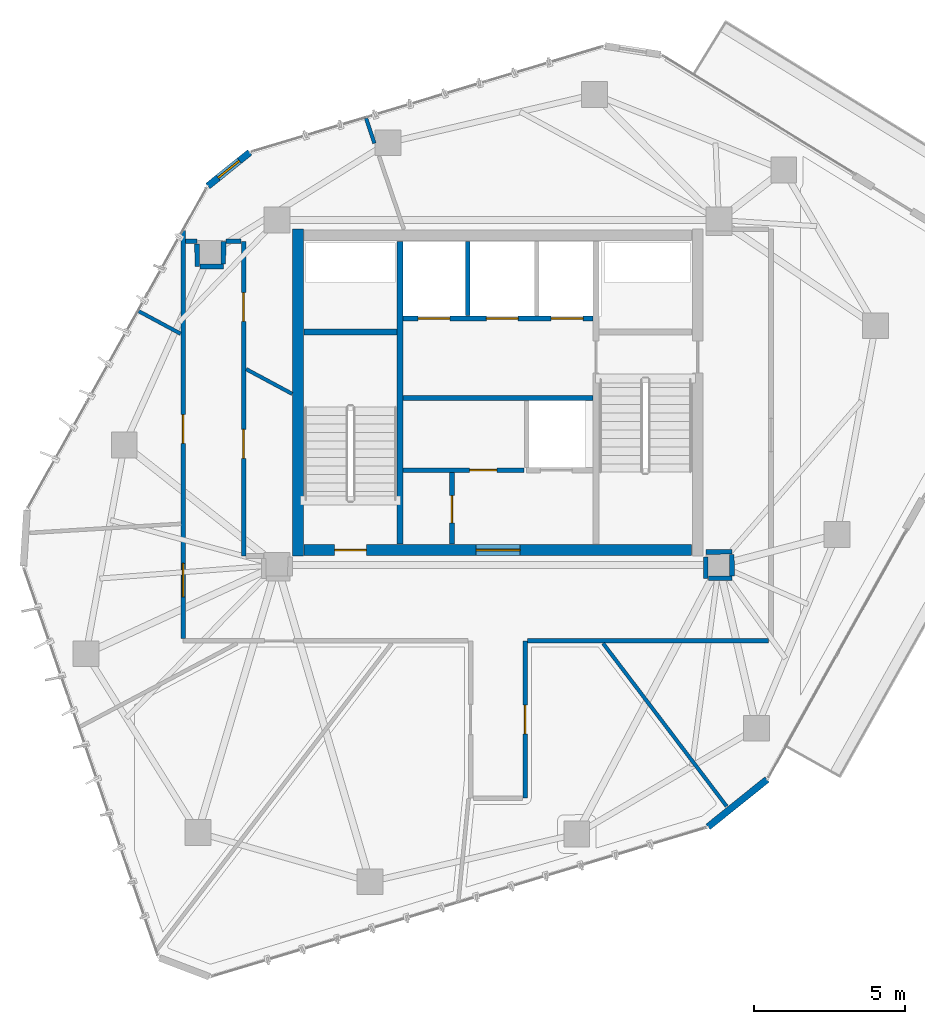
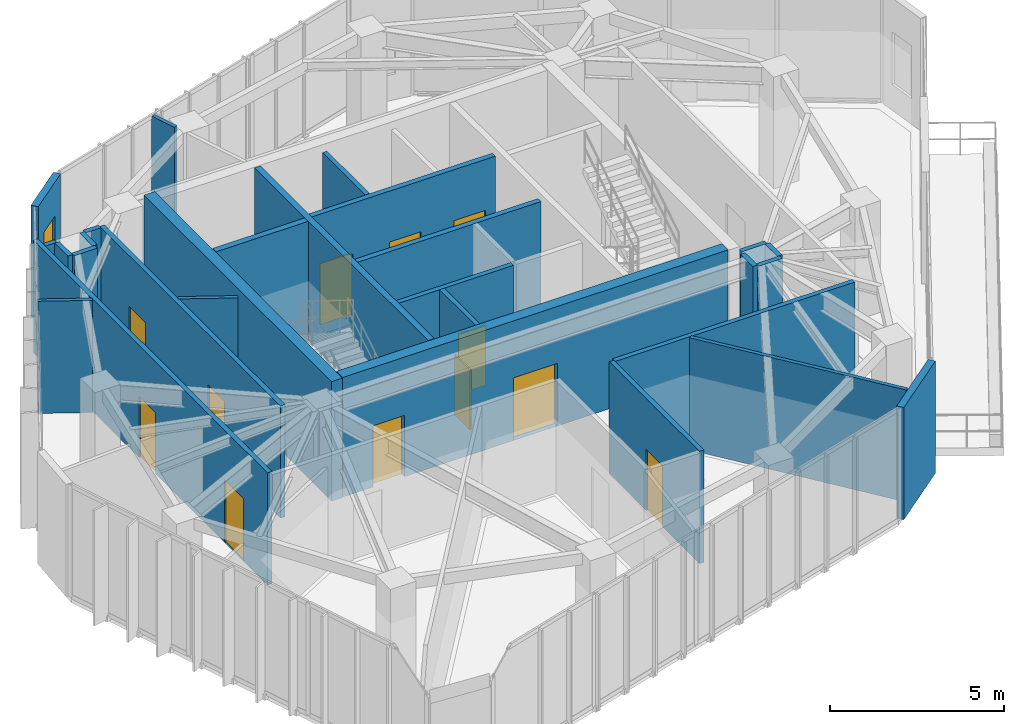
# One storey, part 16 of 20: 28 walls, 12 doors, 1 window, 13 openings.
"""IFC4 building model written with IfcOpenShell, lengths in metres."""

import ifcopenshell
import ifcopenshell.guid

model = None  # the IFC model being written
_history = None  # IfcOwnerHistory: only IFC2X3 demands one
_inside = {}  # id of a spatial element -> (the spatial element, [elements in it])
_under = {}  # id of a project, library or spatial element -> (it, [spatial elements below it])
_declared = {}  # id of a project -> (the project, [libraries it declares])
_typed = {}  # id of a type object -> (the type object, [elements of that type])
_made_of = {}  # id of a material, layer set ... -> (it, [elements and type objects made of it])


def new_model(schema):
    """Start an empty IFC model of exactly this schema.

    Asked for "IFC4X3", IfcOpenShell would pick the latest addendum, in which some entities
    have other attributes; the version numbers below select the first issue.
    IFC2X3 requires an IfcOwnerHistory on every rooted entity: one is made here for all.
    """
    global model, _history
    if schema == "IFC4X3":
        model = ifcopenshell.file(schema_version=(4, 3, 0, 0))
    else:
        model = ifcopenshell.file(schema=schema)
    _inside.clear()
    _under.clear()
    _declared.clear()
    _typed.clear()
    _made_of.clear()
    _history = None
    if model.schema == "IFC2X3":
        org = make("IfcOrganization", Name="unknown")
        user = make(
            "IfcPersonAndOrganization",
            ThePerson=make("IfcPerson", FamilyName="unknown"),
            TheOrganization=org,
        )
        app = make(
            "IfcApplication",
            ApplicationDeveloper=org,
            Version="unknown",
            ApplicationFullName="unknown",
            ApplicationIdentifier="unknown",
        )
        _history = make(
            "IfcOwnerHistory",
            OwningUser=user,
            OwningApplication=app,
            ChangeAction="ADDED",
            CreationDate=0,
        )
    return model


def make(cls, **values):
    """One entity of the class cls with the attributes given. An attribute that is None is left unset."""
    return model.create_entity(
        cls, **{name: value for name, value in values.items() if value is not None}
    )


def rooted(cls, **values):
    """An entity with a GlobalId (a new one), such as an element, a storey or a relation."""
    return make(cls, GlobalId=ifcopenshell.guid.new(), OwnerHistory=_history, **values)


def si_unit(unit_type, name, prefix=None):
    """IfcSIUnit, for example si_unit("LENGTHUNIT", "METRE", prefix="MILLI")."""
    return make("IfcSIUnit", UnitType=unit_type, Prefix=prefix, Name=name)


def assignment(units):
    """IfcUnitAssignment: the units of a project."""
    return None if units is None else make("IfcUnitAssignment", Units=units)


def point(xyz):
    """IfcCartesianPoint."""
    return None if xyz is None else make("IfcCartesianPoint", Coordinates=xyz)


def direction(xyz):
    """IfcDirection."""
    return None if xyz is None else make("IfcDirection", DirectionRatios=xyz)


def frame(location, z_axis=None, x_axis=None):
    """IfcAxis2Placement3D, a coordinate frame: its origin and axes. An axis left out is left unset."""
    return make(
        "IfcAxis2Placement3D",
        Location=point(location),
        Axis=direction(z_axis),
        RefDirection=direction(x_axis),
    )


def frame_2d(location, x_axis=None):
    """IfcAxis2Placement2D, a coordinate frame in the plane: its origin and x axis."""
    return make(
        "IfcAxis2Placement2D", Location=point(location), RefDirection=direction(x_axis)
    )


def origin():
    """The frame at (0, 0, 0) with its axes left unset."""
    return frame((0.0, 0.0, 0.0))


def place(relative_to, where):
    """IfcLocalPlacement: puts the frame where relative to a parent placement (None: the world)."""
    return make(
        "IfcLocalPlacement", PlacementRelTo=relative_to, RelativePlacement=where
    )


def context(
    kind, dimensions, precision=None, world=None, true_north=None, identifier=None
):
    """IfcGeometricRepresentationContext, for example the 3D "Model" context."""
    return make(
        "IfcGeometricRepresentationContext",
        ContextIdentifier=identifier,
        ContextType=kind,
        CoordinateSpaceDimension=dimensions,
        Precision=precision,
        WorldCoordinateSystem=world,
        TrueNorth=true_north,
    )


def subcontext(parent, identifier, kind, view, scale=None):
    """IfcGeometricRepresentationSubContext, for example "Body" below "Model"."""
    return make(
        "IfcGeometricRepresentationSubContext",
        ContextIdentifier=identifier,
        ContextType=kind,
        ParentContext=parent,
        TargetScale=scale,
        TargetView=view,
    )


def project(units=None, contexts=None):
    """IfcProject with its units and contexts."""
    return rooted(
        "IfcProject",
        Name="project",
        RepresentationContexts=contexts,
        UnitsInContext=assignment(units),
    )


def spatial(cls, under=None, at=None, **own):
    """A site, building, storey or space (cls), placed at a placement, below another one or the project."""
    s = rooted(cls, ObjectPlacement=at, **own)
    if under is not None:
        _under.setdefault(under.id(), (under, []))[1].append(s)
    return s


def profile(cls, at=None, kind="AREA", **sizes):
    """A parametric profile (cls). Its sizes go by their IFC names, for example OverallWidth=200.0."""
    return make(cls, ProfileType=kind, Position=at, **sizes)


def rectangle(**sizes):
    """IfcRectangleProfileDef."""
    return profile("IfcRectangleProfileDef", **sizes)


def extrude(swept, where, along, depth):
    """IfcExtrudedAreaSolid: the profile swept, set in the frame where, extruded along a direction by depth."""
    return make(
        "IfcExtrudedAreaSolid",
        SweptArea=swept,
        Position=where,
        ExtrudedDirection=direction(along),
        Depth=depth,
    )


def shape(context_of_items, identifier, shape_type, items):
    """IfcShapeRepresentation: the items that make up one representation, for example the "Body"."""
    return make(
        "IfcShapeRepresentation",
        ContextOfItems=context_of_items,
        RepresentationIdentifier=identifier,
        RepresentationType=shape_type,
        Items=items,
    )


def source(mapping_origin, context_of_items, identifier, shape_type, items):
    """IfcRepresentationMap: a shape defined once, which mapped items show again and again."""
    return make(
        "IfcRepresentationMap",
        MappingOrigin=mapping_origin,
        MappedRepresentation=shape(context_of_items, identifier, shape_type, items),
    )


def transform(
    local_origin,
    x_axis=None,
    y_axis=None,
    z_axis=None,
    scale=None,
    scale2=None,
    scale3=None,
    uniform=True,
):
    """IfcCartesianTransformationOperator3D, or its non-uniform kind. x_axis, y_axis, z_axis: its Axis1, 2, 3."""
    if uniform:
        return make(
            "IfcCartesianTransformationOperator3D",
            Axis1=direction(x_axis),
            Axis2=direction(y_axis),
            LocalOrigin=point(local_origin),
            Scale=scale,
            Axis3=direction(z_axis),
        )
    return make(
        "IfcCartesianTransformationOperator3DnonUniform",
        Axis1=direction(x_axis),
        Axis2=direction(y_axis),
        LocalOrigin=point(local_origin),
        Scale=scale,
        Axis3=direction(z_axis),
        Scale2=scale2,
        Scale3=scale3,
    )


def mapped(mapping_source, mapping_target):
    """IfcMappedItem: shows the shape of a source again, moved by a transform."""
    return make(
        "IfcMappedItem", MappingSource=mapping_source, MappingTarget=mapping_target
    )


def material(Name=None, Category=None):
    """IfcMaterial."""
    return make("IfcMaterial", Name=Name, Category=Category)


def layer(
    of_material, thickness, ventilated=None, Name=None, Category=None, Priority=None
):
    """IfcMaterialLayer: one layer of a wall or slab, of a material (None: an air gap)."""
    return make(
        "IfcMaterialLayer",
        Material=of_material,
        LayerThickness=thickness,
        IsVentilated=ventilated,
        Name=Name,
        Category=Category,
        Priority=Priority,
    )


def layer_set(layers, Name=None):
    """IfcMaterialLayerSet."""
    return make("IfcMaterialLayerSet", MaterialLayers=layers, LayerSetName=Name)


def made_of(thing, what):
    """Note that an element or type object is made of a material, layer set ...; save() writes the relation."""
    if what is not None:
        _made_of.setdefault(what.id(), (what, []))[1].append(thing)
    return thing


def type_object(cls, material=None, **own):
    """A type object (cls), such as IfcWallType, which elements share."""
    return made_of(rooted(cls, **own), material)


def type_shapes(of_type, sources):
    """Give a type object the sources (RepresentationMaps) that its elements show as mapped items."""
    of_type.RepresentationMaps = sources


def element(
    cls,
    number,
    at=None,
    inside=None,
    cuts=None,
    type_object=None,
    material=None,
    context=None,
    identifier="Body",
    shape_type=None,
    held_by="IfcProductDefinitionShape",
    body=None,
    shapes=None,
    **own,
):
    """One element of the class cls, such as IfcWall. Its Tag is "e" and its number.

    at: its placement. inside: the storey or other place that contains it. cuts: it is an
    opening in that element (IfcRelVoidsElement). A single representation is given by context,
    identifier, shape_type and body (its items); several are given by shapes. held_by: the class
    of the entity that holds the representations. save() writes the other relations.
    """
    e = rooted(cls, Tag="e%d" % number, ObjectPlacement=at, **own)
    if body is not None:
        shapes = [shape(context, identifier, shape_type, body)]
    if shapes is not None:
        e.Representation = make(held_by, Representations=shapes)
    if inside is not None:
        _inside.setdefault(inside.id(), (inside, []))[1].append(e)
    if cuts is not None:
        rooted(
            "IfcRelVoidsElement", RelatingBuildingElement=cuts, RelatedOpeningElement=e
        )
    if type_object is not None:
        _typed.setdefault(type_object.id(), (type_object, []))[1].append(e)
    return made_of(e, material)


def fill(opening, filler):
    """IfcRelFillsElement: the door or window that sits in an opening."""
    return rooted(
        "IfcRelFillsElement",
        RelatingOpeningElement=opening,
        RelatedBuildingElement=filler,
    )


def aggregate(whole, parts):
    """IfcRelAggregates: a whole, such as a stair, and the parts it consists of."""
    return rooted("IfcRelAggregates", RelatingObject=whole, RelatedObjects=parts)


def save(model, path):
    """Write the relations noted so far, then the file.

    IfcRelAggregates (storeys below a building ...), IfcRelContainedInSpatialStructure (elements
    in a storey), IfcRelDefinesByType, IfcRelAssociatesMaterial and IfcRelDeclares: one each for
    every whole, place, type object, material and project.
    """
    for whole, parts in _under.values():
        aggregate(whole, parts)
    for where, things in _inside.values():
        rooted(
            "IfcRelContainedInSpatialStructure",
            RelatedElements=things,
            RelatingStructure=where,
        )
    for kind, things in _typed.values():
        rooted("IfcRelDefinesByType", RelatedObjects=things, RelatingType=kind)
    for what, things in _made_of.values():
        rooted("IfcRelAssociatesMaterial", RelatedObjects=things, RelatingMaterial=what)
    for by, libraries in _declared.values():
        rooted("IfcRelDeclares", RelatingContext=by, RelatedDefinitions=libraries)
    model.write(path)


model = new_model("IFC4")

# Units and contexts
model_context = context("Model", 3, precision=1e-05, world=origin(), true_north=direction((0.0, 1.0)))
body_context = subcontext(model_context, "Body", "Model", "MODEL_VIEW")
ifc_project = project(units=[si_unit("LENGTHUNIT", "METRE"), si_unit("AREAUNIT", "SQUARE_METRE"), si_unit("VOLUMEUNIT", "CUBIC_METRE"), si_unit("PLANEANGLEUNIT", "RADIAN"), si_unit("MASSUNIT", "GRAM", prefix="KILO")], contexts=[model_context])

# Site, building, storey
site_placement = place(None, origin())
site = spatial("IfcSite", under=ifc_project, at=site_placement, CompositionType="ELEMENT")
building_placement = place(site_placement, origin())
building = spatial("IfcBuilding", under=site, at=building_placement, Name="Talar Marvaseh", CompositionType="ELEMENT")
storey_placement = place(building_placement, frame((0.0, 0.0, 291.800048828125)))
storey = spatial("IfcBuildingStorey", under=building, at=storey_placement, Name="L78", CompositionType="ELEMENT", Elevation=291.800048828125)

# Wall, opening, window
ifc_material_1 = material(Name="Precast concrete C45/55", Category="concrete")
ifc_layer_1 = layer(ifc_material_1, 0.22509765625)
ifc_layer_set_1 = layer_set([ifc_layer_1], Name="Precast concrete C45/55")
wall_type_1 = type_object("IfcWallType", Name="Chamfered Hexagonal Corner Pier Wall Z4 225", PredefinedType="SOLIDWALL", material=ifc_layer_set_1)
wall_1_placement = place(storey_placement, frame((16.413330078125, 38.0224609375, 0.0), z_axis=(0.0, 0.0, 1.0), x_axis=(0.779891352576, 0.625914912889, 0.0)))
wall_1 = element("IfcWall", 1, at=wall_1_placement, inside=storey, type_object=wall_type_1, Name="L78 Chamfered Corner Limestone Pier 3", PredefinedType="SOLIDWALL", context=body_context, shape_type="SweptSolid", body=[
    extrude(rectangle(XDim=1.780517578125, YDim=0.22509765625, at=frame_2d((0.89013671875, 0.0))), origin(), (0.0, 0.0, 1.0), 3.93994140625),
])
opening_1_placement = place(wall_1_placement, frame((0.43994140625, 0.0, 0.89990234375)))
opening_1 = element("IfcOpeningElement", 2, at=opening_1_placement, cuts=wall_1, Name="Opening WN-CHM09", PredefinedType="OPENING", context=body_context, shape_type="SweptSolid", body=[
    extrude(rectangle(XDim=0.89990234375, YDim=1.85009765625, at=frame_2d((0.449951171875, 0.925048828125))), frame((0.0, 0.12255859375, 0.0), z_axis=(0.0, -1.0, 0.0), x_axis=(1.0, 0.0, 0.0)), (0.0, 0.0, 1.0), 0.2451171875),
])
ifc_material_2 = material(Name="Laminated Low-E Solar Glass", Category="glass")
window_type = type_object("IfcWindowType", Name="Zone 4 Chamfered Corner Slot Window 900x1850", PartitioningType="SINGLE_PANEL", PredefinedType="WINDOW", material=ifc_material_2)
shared_shape_1 = source(origin(), body_context, "Body", "SweptSolid", [
    extrude(rectangle(XDim=0.89990234375, YDim=1.85009765625, at=frame_2d((0.449951171875, 0.925048828125))), frame((0.0, 0.030029296875, 0.0), z_axis=(0.0, -1.0, 0.0), x_axis=(1.0, 0.0, 0.0)), (0.0, 0.0, 1.0), 0.06005859375),
])
type_shapes(window_type, [shared_shape_1])
window_placement = place(opening_1_placement, origin())
window = element("IfcWindow", 3, at=window_placement, inside=storey, type_object=window_type, Name="L78 Chamfered Corner Slot Window", OverallHeight=1.85009765625, OverallWidth=0.89990234375, PartitioningType="SINGLE_PANEL", PredefinedType="WINDOW", context=body_context, shape_type="MappedRepresentation", body=[
    mapped(shared_shape_1, transform((0.0, 0.0, 0.0), x_axis=(1.0, 0.0, 0.0), y_axis=(0.0, 1.0, 0.0), z_axis=(0.0, 0.0, 1.0), scale=1.0)),
])
fill(opening_1, window)

# Wall
wall_2_placement = place(storey_placement, frame((34.891845703125, 18.419921875, 0.0), z_axis=(0.0, 0.0, 1.0), x_axis=(-0.77987797323, -0.625931583218, 0.0)))
element("IfcWall", 4, at=wall_2_placement, inside=storey, type_object=wall_type_1, Name="L78 Chamfered Corner Limestone Pier 6", PredefinedType="SOLIDWALL", context=body_context, shape_type="SweptSolid", body=[
    extrude(rectangle(XDim=2.50244140625, YDim=0.22509765625, at=frame_2d((1.251220703125, 0.0))), origin(), (0.0, 0.0, 1.0), 3.93994140625),
])

# Wall, opening, door
ifc_material_3 = material(Name="Gypsum Board Partition Assembly")
ifc_layer_2 = layer(ifc_material_3, 0.155029296875)
ifc_layer_set_2 = layer_set([ifc_layer_2], Name="Gypsum Board Partition Assembly")
wall_type_2 = type_object("IfcWallType", Name="Corridor Fire-Rated Acoustic Partition 155", PredefinedType="PARTITIONING", material=ifc_layer_set_2)
wall_3_placement = place(storey_placement, frame((22.865966796875, 28.639892578125, 0.0), z_axis=(0.0, 0.0, 1.0), x_axis=(1.0, 0.0, 0.0)))
wall_3 = element("IfcWall", 5, at=wall_3_placement, inside=storey, type_object=wall_type_2, Name="L78 Core BOH Partition", PredefinedType="PARTITIONING", context=body_context, shape_type="SweptSolid", body=[
    extrude(rectangle(XDim=3.994140625, YDim=0.155029296875, at=frame_2d((1.9970703125, 0.0))), origin(), (0.0, 0.0, 1.0), 3.93994140625),
])
opening_2_placement = place(wall_3_placement, frame((2.199951171875, 0.0, 0.0)))
opening_2 = element("IfcOpeningElement", 6, at=opening_2_placement, cuts=wall_3, Name="Opening DR-BOH090", PredefinedType="OPENING", context=body_context, shape_type="SweptSolid", body=[
    extrude(rectangle(XDim=0.89990234375, YDim=2.10009765625, at=frame_2d((0.449951171875, 1.050048828125))), frame((0.0, 0.08740234375, 0.0), z_axis=(0.0, -1.0, 0.0), x_axis=(1.0, 0.0, 0.0)), (0.0, 0.0, 1.0), 0.175048828125),
])
ifc_material_4 = material(Name="Fire-Rated Steel Door Leaf", Category="steel")
door_type_1 = type_object("IfcDoorType", Name="Core Back-of-House Service Door 900x2100", OperationType="NOTDEFINED", PredefinedType="DOOR", material=ifc_material_4)
shared_shape_2 = source(origin(), body_context, "Body", "SweptSolid", [
    extrude(rectangle(XDim=0.89990234375, YDim=2.10009765625, at=frame_2d((0.449951171875, 1.050048828125))), frame((0.0, 0.02490234375, 0.0), z_axis=(0.0, -1.0, 0.0), x_axis=(1.0, 0.0, 0.0)), (0.0, 0.0, 1.0), 0.050048828125),
])
type_shapes(door_type_1, [shared_shape_2])
door_1_placement = place(opening_2_placement, origin())
door_1 = element("IfcDoor", 7, at=door_1_placement, inside=storey, type_object=door_type_1, Name="L78 Store Sky Core Archive Room Door", OperationType="SINGLE_SWING_LEFT", OverallHeight=2.10009765625, OverallWidth=0.89990234375, PredefinedType="DOOR", context=body_context, shape_type="MappedRepresentation", body=[
    mapped(shared_shape_2, transform((0.0, 0.0, 0.0), x_axis=(1.0, 0.0, 0.0), y_axis=(0.0, 1.0, 0.0), z_axis=(0.0, 0.0, 1.0), scale=1.0)),
])
fill(opening_2, door_1)

wall_4_placement = place(storey_placement, frame((24.47998046875, 26.199951171875, 0.0), z_axis=(0.0, 0.0, 1.0), x_axis=(0.0, 1.0, 0.0)))
wall_4 = element("IfcWall", 8, at=wall_4_placement, inside=storey, type_object=wall_type_2, Name="L78 Core BOH Partition", PredefinedType="PARTITIONING", context=body_context, shape_type="SweptSolid", body=[
    extrude(rectangle(XDim=2.360107421875, YDim=0.155029296875, at=frame_2d((1.18017578125, 0.0))), origin(), (0.0, 0.0, 1.0), 3.93994140625),
])
opening_3_placement = place(wall_4_placement, frame((0.699951171875, 0.0, 0.0)))
opening_3 = element("IfcOpeningElement", 9, at=opening_3_placement, cuts=wall_4, Name="Opening DR-BOH090", PredefinedType="OPENING", context=body_context, shape_type="SweptSolid", body=[
    extrude(rectangle(XDim=0.89990234375, YDim=2.10009765625, at=frame_2d((0.449951171875, 1.050048828125))), frame((0.0, 0.08740234375, 0.0), z_axis=(0.0, -1.0, 0.0), x_axis=(1.0, 0.0, 0.0)), (0.0, 0.0, 1.0), 0.175048828125),
])
door_2_placement = place(opening_3_placement, origin())
door_2 = element("IfcDoor", 10, at=door_2_placement, inside=storey, type_object=door_type_1, Name="L78 Cleaner and Linen Store Door", OperationType="SINGLE_SWING_LEFT", OverallHeight=2.10009765625, OverallWidth=0.89990234375, PredefinedType="DOOR", context=body_context, shape_type="MappedRepresentation", body=[
    mapped(shared_shape_2, transform((0.0, 0.0, 0.0), x_axis=(1.0, 0.0, 0.0), y_axis=(0.0, 1.0, 0.0), z_axis=(0.0, 0.0, 1.0), scale=1.0)),
])
fill(opening_3, door_2)

# Wall, openings, doors
wall_5_placement = place(storey_placement, frame((17.60009765625, 36.199951171875, 0.0), z_axis=(0.0, 0.0, 1.0), x_axis=(0.0, -1.0, 0.0)))
wall_5 = element("IfcWall", 11, at=wall_5_placement, inside=storey, type_object=wall_type_2, Name="L78 Interior Partition Wall", PredefinedType="PARTITIONING", context=body_context, shape_type="SweptSolid", body=[
    extrude(rectangle(XDim=10.39990234375, YDim=0.155029296875, at=frame_2d((5.199951171875, 0.0))), origin(), (0.0, 0.0, 1.0), 3.93994140625),
])
opening_4_placement = place(wall_5_placement, frame((1.69287109375, 0.0, 0.0)))
opening_4 = element("IfcOpeningElement", 12, at=opening_4_placement, cuts=wall_5, Name="Opening DR-WC095", PredefinedType="OPENING", context=body_context, shape_type="SweptSolid", body=[
    extrude(rectangle(XDim=0.949951171875, YDim=2.14990234375, at=frame_2d((0.47509765625, 1.074951171875))), frame((0.0, 0.08740234375, 0.0), z_axis=(0.0, -1.0, 0.0), x_axis=(1.0, 0.0, 0.0)), (0.0, 0.0, 1.0), 0.175048828125),
])
opening_5_placement = place(wall_5_placement, frame((6.218017578125, 0.0, 0.0)))
opening_5 = element("IfcOpeningElement", 13, at=opening_5_placement, cuts=wall_5, Name="Opening DR-WC095", PredefinedType="OPENING", context=body_context, shape_type="SweptSolid", body=[
    extrude(rectangle(XDim=0.949951171875, YDim=2.14990234375, at=frame_2d((0.47509765625, 1.074951171875))), frame((0.0, 0.08740234375, 0.0), z_axis=(0.0, -1.0, 0.0), x_axis=(1.0, 0.0, 0.0)), (0.0, 0.0, 1.0), 0.175048828125),
])
ifc_material_5 = material(Name="Acoustic Engineered Oak Timber", Category="wood")
door_type_2 = type_object("IfcDoorType", Name="Washroom and Service Room Door 950x2150", OperationType="NOTDEFINED", PredefinedType="DOOR", material=ifc_material_5)
shared_shape_3 = source(origin(), body_context, "Body", "SweptSolid", [
    extrude(rectangle(XDim=0.949951171875, YDim=2.14990234375, at=frame_2d((0.47509765625, 1.074951171875))), frame((0.0, 0.02490234375, 0.0), z_axis=(0.0, -1.0, 0.0), x_axis=(1.0, 0.0, 0.0)), (0.0, 0.0, 1.0), 0.050048828125),
])
type_shapes(door_type_2, [shared_shape_3])
door_3_placement = place(opening_4_placement, origin())
door_3 = element("IfcDoor", 14, at=door_3_placement, inside=storey, type_object=door_type_2, Name="L78 Fellows' Coffee Pantry Door", OperationType="SINGLE_SWING_RIGHT", OverallHeight=2.14990234375, OverallWidth=0.949951171875, PredefinedType="DOOR", context=body_context, shape_type="MappedRepresentation", body=[
    mapped(shared_shape_3, transform((0.0, 0.0, 0.0), x_axis=(1.0, 0.0, 0.0), y_axis=(0.0, 1.0, 0.0), z_axis=(0.0, 0.0, 1.0), scale=1.0)),
])
fill(opening_4, door_3)
door_4_placement = place(opening_5_placement, origin())
door_4 = element("IfcDoor", 15, at=door_4_placement, inside=storey, type_object=door_type_2, Name="L78 WC Public Washrooms Door", OperationType="SINGLE_SWING_LEFT", OverallHeight=2.14990234375, OverallWidth=0.949951171875, PredefinedType="DOOR", context=body_context, shape_type="MappedRepresentation", body=[
    mapped(shared_shape_3, transform((0.0, 0.0, 0.0), x_axis=(1.0, 0.0, 0.0), y_axis=(0.0, 1.0, 0.0), z_axis=(0.0, 0.0, 1.0), scale=1.0)),
])
fill(opening_5, door_4)

# Wall, opening, door
wall_6_placement = place(storey_placement, frame((26.89990234375, 23.0, 0.0), z_axis=(0.0, 0.0, 1.0), x_axis=(0.0, -1.0, 0.0)))
wall_6 = element("IfcWall", 16, at=wall_6_placement, inside=storey, type_object=wall_type_2, Name="L78 Interior Partition Wall", PredefinedType="PARTITIONING", context=body_context, shape_type="SweptSolid", body=[
    extrude(rectangle(XDim=5.199951171875, YDim=0.155029296875, at=frame_2d((2.60009765625, 0.0))), origin(), (0.0, 0.0, 1.0), 3.93994140625),
])
opening_6_placement = place(wall_6_placement, frame((2.125, 0.0, 0.0)))
opening_6 = element("IfcOpeningElement", 17, at=opening_6_placement, cuts=wall_6, Name="Opening DR-WC095", PredefinedType="OPENING", context=body_context, shape_type="SweptSolid", body=[
    extrude(rectangle(XDim=0.949951171875, YDim=2.14990234375, at=frame_2d((0.47509765625, 1.074951171875))), frame((0.0, 0.08740234375, 0.0), z_axis=(0.0, -1.0, 0.0), x_axis=(1.0, 0.0, 0.0)), (0.0, 0.0, 1.0), 0.175048828125),
])
door_5_placement = place(opening_6_placement, origin())
door_5 = element("IfcDoor", 18, at=door_5_placement, inside=storey, type_object=door_type_2, Name="L78 Scholars' Servery Pantry Door", OperationType="SINGLE_SWING_RIGHT", OverallHeight=2.14990234375, OverallWidth=0.949951171875, PredefinedType="DOOR", context=body_context, shape_type="MappedRepresentation", body=[
    mapped(shared_shape_3, transform((0.0, 0.0, 0.0), x_axis=(1.0, 0.0, 0.0), y_axis=(0.0, 1.0, 0.0), z_axis=(0.0, 0.0, 1.0), scale=1.0)),
])
fill(opening_6, door_5)

# Wall, openings, doors
wall_7_placement = place(storey_placement, frame((15.60009765625, 23.08349609375, 0.0), z_axis=(0.0, 0.0, 1.0), x_axis=(0.0, 1.0, 0.0)))
wall_7 = element("IfcWall", 19, at=wall_7_placement, inside=storey, type_object=wall_type_2, Name="L78 Interior Partition Wall", PredefinedType="PARTITIONING", context=body_context, shape_type="SweptSolid", body=[
    extrude(rectangle(XDim=13.466552734375, YDim=0.155029296875, at=frame_2d((6.7333984375, 0.0))), origin(), (0.0, 0.0, 1.0), 3.93994140625),
])
opening_7_placement = place(wall_7_placement, frame((1.371337890625, 0.0, 0.0)))
opening_7 = element("IfcOpeningElement", 20, at=opening_7_placement, cuts=wall_7, Name="Opening DR-RM110", PredefinedType="OPENING", context=body_context, shape_type="SweptSolid", body=[
    extrude(rectangle(XDim=1.10009765625, YDim=2.199951171875, at=frame_2d((0.550048828125, 1.10009765625))), frame((0.0, 0.08740234375, 0.0), z_axis=(0.0, -1.0, 0.0), x_axis=(1.0, 0.0, 0.0)), (0.0, 0.0, 1.0), 0.175048828125),
])
opening_8_placement = place(wall_7_placement, frame((6.435791015625, 0.0, 0.0)))
opening_8 = element("IfcOpeningElement", 21, at=opening_8_placement, cuts=wall_7, Name="Opening DR-WC095", PredefinedType="OPENING", context=body_context, shape_type="SweptSolid", body=[
    extrude(rectangle(XDim=0.949951171875, YDim=2.14990234375, at=frame_2d((0.47509765625, 1.074951171875))), frame((0.0, 0.08740234375, 0.0), z_axis=(0.0, -1.0, 0.0), x_axis=(1.0, 0.0, 0.0)), (0.0, 0.0, 1.0), 0.175048828125),
])
door_6_placement = place(opening_8_placement, origin())
door_6 = element("IfcDoor", 22, at=door_6_placement, inside=storey, type_object=door_type_2, Name="L78 Accessible WC Door", OperationType="SINGLE_SWING_RIGHT", OverallHeight=2.14990234375, OverallWidth=0.949951171875, PredefinedType="DOOR", context=body_context, shape_type="MappedRepresentation", body=[
    mapped(shared_shape_3, transform((0.0, 0.0, 0.0), x_axis=(1.0, 0.0, 0.0), y_axis=(0.0, 1.0, 0.0), z_axis=(0.0, 0.0, 1.0), scale=1.0)),
])
fill(opening_8, door_6)
door_type_3 = type_object("IfcDoorType", Name="Assembly and Reading Hall Door 1100x2200", OperationType="NOTDEFINED", PredefinedType="DOOR", material=ifc_material_5)
shared_shape_4 = source(origin(), body_context, "Body", "SweptSolid", [
    extrude(rectangle(XDim=1.10009765625, YDim=2.199951171875, at=frame_2d((0.550048828125, 1.10009765625))), frame((0.0, 0.02490234375, 0.0), z_axis=(0.0, -1.0, 0.0), x_axis=(1.0, 0.0, 0.0)), (0.0, 0.0, 1.0), 0.050048828125),
])
type_shapes(door_type_3, [shared_shape_4])
door_7_placement = place(opening_7_placement, origin())
door_7 = element("IfcDoor", 23, at=door_7_placement, inside=storey, type_object=door_type_3, Name="L78 Sky Observation Gallery Door", OperationType="SINGLE_SWING_LEFT", OverallHeight=2.199951171875, OverallWidth=1.10009765625, PredefinedType="DOOR", context=body_context, shape_type="MappedRepresentation", body=[
    mapped(shared_shape_4, transform((0.0, 0.0, 0.0), x_axis=(1.0, 0.0, 0.0), y_axis=(0.0, 1.0, 0.0), z_axis=(0.0, 0.0, 1.0), scale=1.0)),
])
fill(opening_7, door_7)

# Walls
wall_8_placement = place(storey_placement, frame((15.68359375, 36.199951171875, 0.0), z_axis=(0.0, 0.0, 1.0), x_axis=(1.0, 0.0, 0.0)))
element("IfcWall", 24, at=wall_8_placement, inside=storey, type_object=wall_type_2, Name="L78 Interior Partition Wall", PredefinedType="PARTITIONING", context=body_context, shape_type="SweptSolid", body=[
    extrude(rectangle(XDim=0.370361328125, YDim=0.155029296875, at=frame_2d((0.18505859375, 0.0))), origin(), (0.0, 0.0, 1.0), 3.93994140625),
])
wall_9_placement = place(storey_placement, frame((16.055419921875, 36.116455078125, 0.0), z_axis=(0.0, 0.0, 1.0), x_axis=(0.01823800838, -0.999833673693, 0.0)))
element("IfcWall", 25, at=wall_9_placement, inside=storey, type_object=wall_type_2, Name="L78 Interior Partition Wall", PredefinedType="PARTITIONING", context=body_context, shape_type="SweptSolid", body=[
    extrude(rectangle(XDim=0.749755859375, YDim=0.155029296875, at=frame_2d((0.375, 0.0))), origin(), (0.0, 0.0, 1.0), 3.93994140625),
])
wall_10_placement = place(storey_placement, frame((16.152587890625, 35.3671875, 0.0), z_axis=(0.0, 0.0, 1.0), x_axis=(0.999997558852, 0.002209590566, 0.0)))
element("IfcWall", 26, at=wall_10_placement, inside=storey, type_object=wall_type_2, Name="L78 Interior Partition Wall", PredefinedType="PARTITIONING", context=body_context, shape_type="SweptSolid", body=[
    extrude(rectangle(XDim=0.7734375, YDim=0.155029296875, at=frame_2d((0.38671875, 0.0))), origin(), (0.0, 0.0, 1.0), 3.93994140625),
])
wall_11_placement = place(storey_placement, frame((16.927001953125, 35.452392578125, 0.0), z_axis=(0.0, 0.0, 1.0), x_axis=(0.009470509294, 0.999955153721, 0.0)))
element("IfcWall", 27, at=wall_11_placement, inside=storey, type_object=wall_type_2, Name="L78 Interior Partition Wall", PredefinedType="PARTITIONING", context=body_context, shape_type="SweptSolid", body=[
    extrude(rectangle(XDim=0.74755859375, YDim=0.155029296875, at=frame_2d((0.373779296875, 0.0))), origin(), (0.0, 0.0, 1.0), 3.93994140625),
])
wall_12_placement = place(storey_placement, frame((17.017578125, 36.199951171875, 0.0), z_axis=(0.0, 0.0, 1.0), x_axis=(1.0, 0.0, 0.0)))
element("IfcWall", 28, at=wall_12_placement, inside=storey, type_object=wall_type_2, Name="L78 Interior Partition Wall", PredefinedType="PARTITIONING", context=body_context, shape_type="SweptSolid", body=[
    extrude(rectangle(XDim=0.4990234375, YDim=0.155029296875, at=frame_2d((0.24951171875, 0.0))), origin(), (0.0, 0.0, 1.0), 3.93994140625),
])
wall_13_placement = place(storey_placement, frame((34.9365234375, 23.0, 0.0), z_axis=(0.0, 0.0, 1.0), x_axis=(-1.0, 0.0, 0.0)))
element("IfcWall", 29, at=wall_13_placement, inside=storey, type_object=wall_type_2, Name="L78 Interior Partition Wall", PredefinedType="PARTITIONING", context=body_context, shape_type="SweptSolid", body=[
    extrude(rectangle(XDim=7.953125, YDim=0.155029296875, at=frame_2d((3.9765625, 0.0))), origin(), (0.0, 0.0, 1.0), 3.93994140625),
])
wall_14_placement = place(storey_placement, frame((33.72509765625, 25.93994140625, 0.0), z_axis=(0.0, 0.0, 1.0), x_axis=(-0.999986790873, -0.005139852152, 0.0)))
element("IfcWall", 30, at=wall_14_placement, inside=storey, type_object=wall_type_2, Name="L78 Interior Partition Wall", PredefinedType="PARTITIONING", context=body_context, shape_type="SweptSolid", body=[
    extrude(rectangle(XDim=0.85498046875, YDim=0.155029296875, at=frame_2d((0.427490234375, 0.0))), origin(), (0.0, 0.0, 1.0), 3.93994140625),
])
wall_15_placement = place(storey_placement, frame((32.864501953125, 25.772705078125, 0.0), z_axis=(0.0, 0.0, 1.0), x_axis=(0.0, -1.0, 0.0)))
element("IfcWall", 31, at=wall_15_placement, inside=storey, type_object=wall_type_2, Name="L78 Interior Partition Wall", PredefinedType="PARTITIONING", context=body_context, shape_type="SweptSolid", body=[
    extrude(rectangle(XDim=0.708251953125, YDim=0.155029296875, at=frame_2d((0.35400390625, 0.0))), origin(), (0.0, 0.0, 1.0), 3.93994140625),
])
wall_16_placement = place(storey_placement, frame((32.947998046875, 25.064453125, 0.0), z_axis=(0.0, 0.0, 1.0), x_axis=(1.0, 0.0, 0.0)))
element("IfcWall", 32, at=wall_16_placement, inside=storey, type_object=wall_type_2, Name="L78 Interior Partition Wall", PredefinedType="PARTITIONING", context=body_context, shape_type="SweptSolid", body=[
    extrude(rectangle(XDim=0.78759765625, YDim=0.155029296875, at=frame_2d((0.393798828125, 0.0))), origin(), (0.0, 0.0, 1.0), 3.93994140625),
])
wall_17_placement = place(storey_placement, frame((33.734619140625, 25.14794921875, 0.0), z_axis=(0.0, 0.0, 1.0), x_axis=(-0.012059770759, 0.99992727832, 0.0)))
element("IfcWall", 33, at=wall_17_placement, inside=storey, type_object=wall_type_2, Name="L78 Interior Partition Wall", PredefinedType="PARTITIONING", context=body_context, shape_type="SweptSolid", body=[
    extrude(rectangle(XDim=0.70849609375, YDim=0.155029296875, at=frame_2d((0.354248046875, 0.0))), origin(), (0.0, 0.0, 1.0), 3.93994140625),
])
ifc_layer_3 = layer(ifc_material_3, 0.1201171875)
ifc_layer_set_3 = layer_set([ifc_layer_3], Name="Gypsum Board Partition Assembly")
wall_type_3 = type_object("IfcWallType", Name="Demountable Studio Room Partition 120", PredefinedType="PARTITIONING", material=ifc_layer_set_3)
wall_18_placement = place(storey_placement, frame((29.473388671875, 22.91650390625, 0.0), z_axis=(0.0, 0.0, 1.0), x_axis=(0.604213983141, -0.796822102214, 0.0)))
element("IfcWall", 34, at=wall_18_placement, inside=storey, type_object=wall_type_3, Name="L78 Interior Partition Wall", PredefinedType="PARTITIONING", context=body_context, shape_type="SweptSolid", body=[
    extrude(rectangle(XDim=6.75341796875, YDim=0.1201171875, at=frame_2d((3.376708984375, 0.0))), origin(), (0.0, 0.0, 1.0), 3.93994140625),
])
wall_19_placement = place(storey_placement, frame((21.919921875, 39.43994140625, 0.0), z_axis=(0.0, 0.0, 1.0), x_axis=(-0.316227766017, 0.948683298051, 0.0)))
element("IfcWall", 35, at=wall_19_placement, inside=storey, type_object=wall_type_3, Name="L78 Interior Partition Wall", PredefinedType="PARTITIONING", context=body_context, shape_type="SweptSolid", body=[
    extrude(rectangle(XDim=0.87158203125, YDim=0.1201171875, at=frame_2d((0.435791015625, 0.0))), origin(), (0.0, 0.0, 1.0), 3.93994140625),
])
wall_20_placement = place(storey_placement, frame((19.199951171875, 31.159912109375, 0.0), z_axis=(0.0, 0.0, 1.0), x_axis=(-0.880789650974, 0.473507751506, 0.0)))
element("IfcWall", 36, at=wall_20_placement, inside=storey, type_object=wall_type_3, Name="L78 Interior Partition Wall", PredefinedType="PARTITIONING", context=body_context, shape_type="SweptSolid", body=[
    extrude(rectangle(XDim=1.7216796875, YDim=0.1201171875, at=frame_2d((0.86083984375, 0.0))), origin(), (0.0, 0.0, 1.0), 3.93994140625),
])
wall_21_placement = place(storey_placement, frame((15.5166015625, 33.14501953125, 0.0), z_axis=(0.0, 0.0, 1.0), x_axis=(-0.880729827404, 0.473619014737, 0.0)))
element("IfcWall", 37, at=wall_21_placement, inside=storey, type_object=wall_type_3, Name="L78 Interior Partition Wall", PredefinedType="PARTITIONING", context=body_context, shape_type="SweptSolid", body=[
    extrude(rectangle(XDim=1.57470703125, YDim=0.1201171875, at=frame_2d((0.787353515625, 0.0))), origin(), (0.0, 0.0, 1.0), 3.93994140625),
])
ifc_layer_4 = layer(ifc_material_1, 0.14501953125)
ifc_layer_set_4 = layer_set([ifc_layer_4], Name="Precast concrete C45/55")
wall_type_4 = type_object("IfcWallType", Name="Fire-Rated Lift Divider Wall 145", PredefinedType="SOLIDWALL", material=ifc_layer_set_4)
wall_22_placement = place(storey_placement, frame((25.0, 33.743408203125, 0.0), z_axis=(0.0, 0.0, 1.0), x_axis=(0.0, 1.0, 0.0)))
element("IfcWall", 38, at=wall_22_placement, inside=storey, type_object=wall_type_4, Name="L78 FFL-1/FFL-2 Divider", PredefinedType="SOLIDWALL", context=body_context, shape_type="SweptSolid", body=[
    extrude(rectangle(XDim=2.45654296875, YDim=0.14501953125, at=frame_2d((1.228271484375, 0.0))), origin(), (0.0, 0.0, 1.0), 3.93994140625),
])

# Wall, openings, doors
ifc_layer_5 = layer(ifc_material_1, 0.175048828125)
ifc_layer_set_5 = layer_set([ifc_layer_5], Name="Precast concrete C45/55")
wall_type_5 = type_object("IfcWallType", Name="Fire-Rated Lift Hoistway Enclosure Wall 175", PredefinedType="SOLIDWALL", material=ifc_layer_set_5)
wall_23_placement = place(storey_placement, frame((22.860107421875, 33.64990234375, 0.0), z_axis=(0.0, 0.0, 1.0), x_axis=(1.0, 0.0, 0.0)))
wall_23 = element("IfcWall", 39, at=wall_23_placement, inside=storey, type_object=wall_type_5, Name="L78 Firefighting and Service Lift Front Wall", PredefinedType="SOLIDWALL", context=body_context, shape_type="SweptSolid", body=[
    extrude(rectangle(XDim=6.27978515625, YDim=0.175048828125, at=frame_2d((3.139892578125, 0.0))), origin(), (0.0, 0.0, 1.0), 3.93994140625),
])
opening_9_placement = place(wall_23_placement, frame((0.5, 0.0, 0.0)))
opening_9 = element("IfcOpeningElement", 40, at=opening_9_placement, cuts=wall_23, Name="Opening LD-FF1", PredefinedType="OPENING", context=body_context, shape_type="SweptSolid", body=[
    extrude(rectangle(XDim=1.050048828125, YDim=2.14990234375, at=frame_2d((0.52490234375, 1.074951171875))), frame((0.0, 0.09765625, 0.0), z_axis=(0.0, -1.0, 0.0), x_axis=(1.0, 0.0, 0.0)), (0.0, 0.0, 1.0), 0.195068359375),
])
opening_10_placement = place(wall_23_placement, frame((2.760009765625, 0.0, 0.0)))
opening_10 = element("IfcOpeningElement", 41, at=opening_10_placement, cuts=wall_23, Name="Opening LD-FF2", PredefinedType="OPENING", context=body_context, shape_type="SweptSolid", body=[
    extrude(rectangle(XDim=1.050048828125, YDim=2.14990234375, at=frame_2d((0.52490234375, 1.074951171875))), frame((0.0, 0.09765625, 0.0), z_axis=(0.0, -1.0, 0.0), x_axis=(1.0, 0.0, 0.0)), (0.0, 0.0, 1.0), 0.195068359375),
])
opening_11_placement = place(wall_23_placement, frame((4.89990234375, 0.0, 0.0)))
opening_11 = element("IfcOpeningElement", 42, at=opening_11_placement, cuts=wall_23, Name="Opening LD-SV1", PredefinedType="OPENING", context=body_context, shape_type="SweptSolid", body=[
    extrude(rectangle(XDim=1.050048828125, YDim=2.14990234375, at=frame_2d((0.52490234375, 1.074951171875))), frame((0.0, 0.09765625, 0.0), z_axis=(0.0, -1.0, 0.0), x_axis=(1.0, 0.0, 0.0)), (0.0, 0.0, 1.0), 0.195068359375),
])
ifc_material_6 = material(Name="Stainless Steel Grade 316", Category="steel")
door_type_4 = type_object("IfcDoorType", Name="Automatic Sliding Lift Landing Door 1050x2150", OperationType="NOTDEFINED", PredefinedType="DOOR", material=ifc_material_6)
shared_shape_5 = source(origin(), body_context, "Body", "SweptSolid", [
    extrude(rectangle(XDim=1.050048828125, YDim=2.14990234375, at=frame_2d((0.52490234375, 1.074951171875))), frame((0.0, 0.02490234375, 0.0), z_axis=(0.0, -1.0, 0.0), x_axis=(1.0, 0.0, 0.0)), (0.0, 0.0, 1.0), 0.050048828125),
])
type_shapes(door_type_4, [shared_shape_5])
door_8_placement = place(opening_9_placement, origin())
door_8 = element("IfcDoor", 43, at=door_8_placement, inside=storey, type_object=door_type_4, Name="L78 Lift FFL-1 Sliding Landing Door", OperationType="SLIDING_TO_LEFT", OverallHeight=2.14990234375, OverallWidth=1.050048828125, PredefinedType="DOOR", context=body_context, shape_type="MappedRepresentation", body=[
    mapped(shared_shape_5, transform((0.0, 0.0, 0.0), x_axis=(1.0, 0.0, 0.0), y_axis=(0.0, 1.0, 0.0), z_axis=(0.0, 0.0, 1.0), scale=1.0)),
])
fill(opening_9, door_8)
door_9_placement = place(opening_10_placement, origin())
door_9 = element("IfcDoor", 44, at=door_9_placement, inside=storey, type_object=door_type_4, Name="L78 Lift FFL-2 Sliding Landing Door", OperationType="SLIDING_TO_LEFT", OverallHeight=2.14990234375, OverallWidth=1.050048828125, PredefinedType="DOOR", context=body_context, shape_type="MappedRepresentation", body=[
    mapped(shared_shape_5, transform((0.0, 0.0, 0.0), x_axis=(1.0, 0.0, 0.0), y_axis=(0.0, 1.0, 0.0), z_axis=(0.0, 0.0, 1.0), scale=1.0)),
])
fill(opening_10, door_9)
door_10_placement = place(opening_11_placement, origin())
door_10 = element("IfcDoor", 45, at=door_10_placement, inside=storey, type_object=door_type_4, Name="L78 Lift SVL-1 Sliding Landing Door", OperationType="SLIDING_TO_LEFT", OverallHeight=2.14990234375, OverallWidth=1.050048828125, PredefinedType="DOOR", context=body_context, shape_type="MappedRepresentation", body=[
    mapped(shared_shape_5, transform((0.0, 0.0, 0.0), x_axis=(1.0, 0.0, 0.0), y_axis=(0.0, 1.0, 0.0), z_axis=(0.0, 0.0, 1.0), scale=1.0)),
])
fill(opening_11, door_10)

# Walls
wall_24_placement = place(storey_placement, frame((22.860107421875, 31.02001953125, 0.0), z_axis=(0.0, 0.0, 1.0), x_axis=(1.0, 0.0, 0.0)))
element("IfcWall", 46, at=wall_24_placement, inside=storey, type_object=wall_type_5, Name="L78 Firefighting Lobby South Smoke Wall", PredefinedType="SOLIDWALL", context=body_context, shape_type="SweptSolid", body=[
    extrude(rectangle(XDim=6.27978515625, YDim=0.175048828125, at=frame_2d((3.139892578125, 0.0))), origin(), (0.0, 0.0, 1.0), 3.93994140625),
])
ifc_material_7 = material(Name="Concrete C50/60", Category="concrete")
ifc_layer_6 = layer(ifc_material_7, 0.199951171875)
ifc_layer_set_6 = layer_set([ifc_layer_6], Name="Concrete C50/60")
wall_type_6 = type_object("IfcWallType", Name="Stair Shaft Structural Concrete Shear Wall 200", PredefinedType="SHEAR", material=ifc_layer_set_6)
wall_25_placement = place(storey_placement, frame((22.760009765625, 26.199951171875, 0.0), z_axis=(0.0, 0.0, 1.0), x_axis=(0.0, 1.0, 0.0)))
element("IfcWall", 47, at=wall_25_placement, inside=storey, type_object=wall_type_6, Name="L78 Core West Stair Shear Wall", PredefinedType="SHEAR", context=body_context, shape_type="SweptSolid", body=[
    extrude(rectangle(XDim=10.0, YDim=0.199951171875, at=frame_2d((5.0, 0.0))), origin(), (0.0, 0.0, 1.0), 4.199951171875),
])
wall_26_placement = place(storey_placement, frame((19.60009765625, 33.199951171875, 0.0), z_axis=(0.0, 0.0, 1.0), x_axis=(1.0, 0.0, 0.0)))
element("IfcWall", 48, at=wall_26_placement, inside=storey, type_object=wall_type_6, Name="L78 Stair ST-1 North Shear Wall", PredefinedType="SHEAR", context=body_context, shape_type="SweptSolid", body=[
    extrude(rectangle(XDim=3.059814453125, YDim=0.199951171875, at=frame_2d((1.52978515625, 0.0))), origin(), (0.0, 0.0, 1.0), 4.199951171875),
])
ifc_layer_7 = layer(ifc_material_7, 0.360107421875)
ifc_layer_set_7 = layer_set([ifc_layer_7], Name="Concrete C50/60")
wall_type_7 = type_object("IfcWallType", Name="Upper Core Reinforced Concrete Shear Wall 360", PredefinedType="SHEAR", material=ifc_layer_set_7)
wall_27_placement = place(storey_placement, frame((19.39990234375, 25.800048828125, 0.0), z_axis=(0.0, 0.0, 1.0), x_axis=(0.0, 1.0, 0.0)))
element("IfcWall", 49, at=wall_27_placement, inside=storey, type_object=wall_type_7, Name="L78 West Core Shear Wall", PredefinedType="SHEAR", context=body_context, shape_type="SweptSolid", body=[
    extrude(rectangle(XDim=10.800048828125, YDim=0.360107421875, at=frame_2d((5.39990234375, 0.0))), origin(), (0.0, 0.0, 1.0), 4.199951171875),
])

# Wall, openings, doors
wall_28_placement = place(storey_placement, frame((32.39990234375, 26.0, 0.0), z_axis=(0.0, 0.0, 1.0), x_axis=(-1.0, 0.0, 0.0)))
wall_28 = element("IfcWall", 50, at=wall_28_placement, inside=storey, type_object=wall_type_7, Name="L78 South Core Shear Wall", PredefinedType="SHEAR", context=body_context, shape_type="SweptSolid", body=[
    extrude(rectangle(XDim=12.7998046875, YDim=0.360107421875, at=frame_2d((6.39990234375, 0.0))), origin(), (0.0, 0.0, 1.0), 4.199951171875),
])
opening_12_placement = place(wall_28_placement, frame((10.75, 0.0, 0.0)))
opening_12 = element("IfcOpeningElement", 51, at=opening_12_placement, cuts=wall_28, Name="Opening DR-ST105", PredefinedType="OPENING", context=body_context, shape_type="SweptSolid", body=[
    extrude(rectangle(XDim=1.050048828125, YDim=2.14990234375, at=frame_2d((0.52490234375, 1.074951171875))), frame((0.0, 0.18994140625, 0.0), z_axis=(0.0, -1.0, 0.0), x_axis=(1.0, 0.0, 0.0)), (0.0, 0.0, 1.0), 0.380126953125),
])
opening_13_placement = place(wall_28_placement, frame((5.669921875, 0.0, 0.0)))
opening_13 = element("IfcOpeningElement", 52, at=opening_13_placement, cuts=wall_28, Name="Opening DR-LBY145", PredefinedType="OPENING", context=body_context, shape_type="SweptSolid", body=[
    extrude(rectangle(XDim=1.449951171875, YDim=2.199951171875, at=frame_2d((0.72509765625, 1.10009765625))), frame((0.0, 0.18994140625, 0.0), z_axis=(0.0, -1.0, 0.0), x_axis=(1.0, 0.0, 0.0)), (0.0, 0.0, 1.0), 0.380126953125),
])
door_type_5 = type_object("IfcDoorType", Name="Protected Exit Stair Fire Door 1050x2150", OperationType="NOTDEFINED", PredefinedType="DOOR", material=ifc_material_4)
shared_shape_6 = source(origin(), body_context, "Body", "SweptSolid", [
    extrude(rectangle(XDim=1.050048828125, YDim=2.14990234375, at=frame_2d((0.52490234375, 1.074951171875))), frame((0.0, 0.02490234375, 0.0), z_axis=(0.0, -1.0, 0.0), x_axis=(1.0, 0.0, 0.0)), (0.0, 0.0, 1.0), 0.050048828125),
])
type_shapes(door_type_5, [shared_shape_6])
door_11_placement = place(opening_12_placement, origin())
door_11 = element("IfcDoor", 53, at=door_11_placement, inside=storey, type_object=door_type_5, Name="L78 Stair ST-1 Exit Door", OperationType="SINGLE_SWING_RIGHT", OverallHeight=2.14990234375, OverallWidth=1.050048828125, PredefinedType="DOOR", context=body_context, shape_type="MappedRepresentation", body=[
    mapped(shared_shape_6, transform((0.0, 0.0, 0.0), x_axis=(1.0, 0.0, 0.0), y_axis=(0.0, 1.0, 0.0), z_axis=(0.0, 0.0, 1.0), scale=1.0)),
])
fill(opening_12, door_11)
door_type_6 = type_object("IfcDoorType", Name="Core Lift Lobby Double Smoke Door 1450x2200", OperationType="NOTDEFINED", PredefinedType="DOOR", material=ifc_material_4)
shared_shape_7 = source(origin(), body_context, "Body", "SweptSolid", [
    extrude(rectangle(XDim=1.449951171875, YDim=2.199951171875, at=frame_2d((0.72509765625, 1.10009765625))), frame((0.0, 0.02490234375, 0.0), z_axis=(0.0, -1.0, 0.0), x_axis=(1.0, 0.0, 0.0)), (0.0, 0.0, 1.0), 0.050048828125),
])
type_shapes(door_type_6, [shared_shape_7])
door_12_placement = place(opening_13_placement, origin())
door_12 = element("IfcDoor", 54, at=door_12_placement, inside=storey, type_object=door_type_6, Name="L78 Passenger Lift Lobby Entrance Door", OperationType="DOUBLE_DOOR_SINGLE_SWING", OverallHeight=2.199951171875, OverallWidth=1.449951171875, PredefinedType="DOOR", context=body_context, shape_type="MappedRepresentation", body=[
    mapped(shared_shape_7, transform((0.0, 0.0, 0.0), x_axis=(1.0, 0.0, 0.0), y_axis=(0.0, 1.0, 0.0), z_axis=(0.0, 0.0, 1.0), scale=1.0)),
])
fill(opening_13, door_12)

save(model, "model.ifc")
